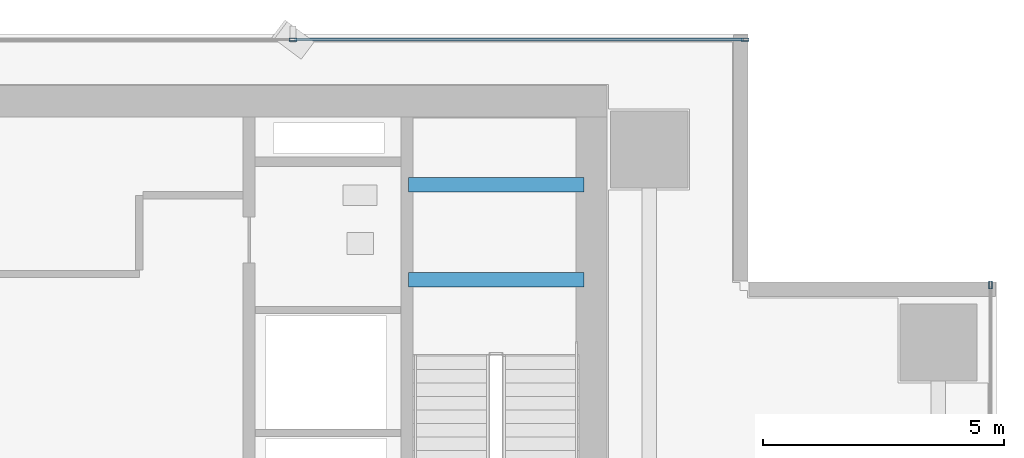
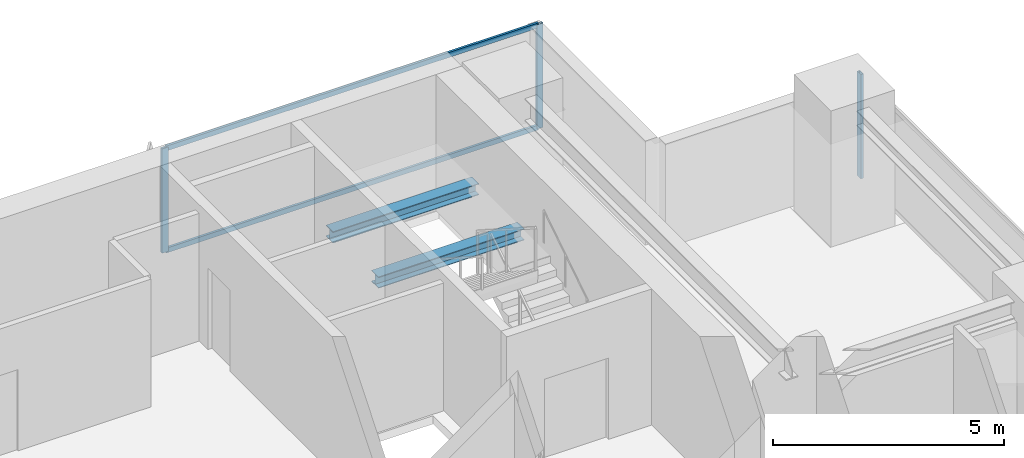
# One storey, part 19 of 28: 5 members, 2 beams, 2 elements without a shape of their own.
"""IFC4 building model written with IfcOpenShell, lengths in metres."""

from ifc_helpers import new_model, si_unit, direction, frame, origin, origin_2d, place, context, subcontext, project, spatial, hollow_rectangle, i_section, extrude, source, transform, mapped, material, layer, layer_set, material_profile, profile_set, type_object, element, aggregate, save


model = new_model("IFC4")

# Units and contexts
model_context = context("Model", 3, precision=1e-05, world=origin(), true_north=direction((0.0, 1.0)))
body_context = subcontext(model_context, "Body", "Model", "MODEL_VIEW")
ifc_project = project(units=[si_unit("LENGTHUNIT", "METRE"), si_unit("AREAUNIT", "SQUARE_METRE"), si_unit("VOLUMEUNIT", "CUBIC_METRE"), si_unit("PLANEANGLEUNIT", "RADIAN"), si_unit("MASSUNIT", "GRAM", prefix="KILO")], contexts=[model_context])

# Site, building, storey
site_placement = place(None, origin())
site = spatial("IfcSite", under=ifc_project, at=site_placement, CompositionType="ELEMENT")
building_placement = place(site_placement, origin())
building = spatial("IfcBuilding", under=site, at=building_placement, Name="Sumidabori Civic Tower", CompositionType="ELEMENT")
storey_placement = place(building_placement, frame((0.0, 0.0, 146.0)))
storey = spatial("IfcBuildingStorey", under=building, at=storey_placement, Name="L37", CompositionType="ELEMENT", Elevation=146.0)

# Beams
ifc_material_1 = material(Name="Steel SN490", Category="steel")
ifc_material_profile_1 = material_profile(ifc_material_1, i_section(OverallWidth=0.300048828125, OverallDepth=0.300048828125, WebThickness=0.010986328125, FlangeThickness=0.01904296875, at=origin_2d()), Name="HE 300 B")
ifc_profile_set_1 = profile_set([ifc_material_profile_1], Name="Steel SN490")
beam_type = type_object("IfcBeamType", Name="BM-LDG-300", PredefinedType="BEAM", material=ifc_profile_set_1)
shared_shape_1 = source(origin(), body_context, "Body", "SweptSolid", [
    extrude(i_section(OverallWidth=0.300048828125, OverallDepth=0.300048828125, WebThickness=0.010986328125, FlangeThickness=0.01904296875, at=origin_2d()), origin(), (0.0, 0.0, 1.0), 3.64990234375),
])
for number, where, z_axis, x_axis, name in (
    (1, (11.800048828125, 20.09765625, 1.449951171875), (1.0, 0.0, 0.0), (0.0, 1.0, 0.0), "Stair ST-2 Landing Support Beam L37-1A"),
    (2, (11.800048828125, 22.069580078125, 1.449951171875), (1.0, 0.0, 0.0), (0.0, 1.0, 0.0), "Stair ST-2 Landing Trimmer Beam L37-1B"),
):
    element("IfcBeam", number, at=place(storey_placement, frame(where, z_axis=z_axis, x_axis=x_axis)), inside=storey, type_object=beam_type, Name=name, PredefinedType="BEAM", context=body_context, shape_type="MappedRepresentation", body=[
        mapped(shared_shape_1, transform((0.0, 0.0, 0.0), x_axis=(1.0, 0.0, 0.0), y_axis=(0.0, 1.0, 0.0), z_axis=(0.0, 0.0, 1.0), scale=1.0)),
    ])

# Curtain wall, member
ifc_material_2 = material(Name="Anodised Bronze Aluminium AW-6063-T6", Category="aluminium")
ifc_layer = layer(ifc_material_2, 0.179931640625, Name="Anodised Bronze Aluminium AW-6063-T6")
ifc_layer_set = layer_set([ifc_layer], Name="Anodised Bronze Aluminium AW-6063-T6")
curtain_wall_type = type_object("IfcCurtainWallType", Name="CW-SYS-3", PredefinedType="NOTDEFINED", material=ifc_layer_set)
curtain_wall_1_placement = place(storey_placement, origin())
curtain_wall_1 = element("IfcCurtainWall", 3, at=curtain_wall_1_placement, inside=storey, type_object=curtain_wall_type, Name="Curtain Wall CW:L37:R04", PredefinedType="NOTDEFINED")
ifc_material_profile_2 = material_profile(ifc_material_2, hollow_rectangle(XDim=0.06494140625, YDim=0.159912109375, WallThickness=0.0048828125, at=origin_2d()), Name="ALU MULLION 160x65")
ifc_profile_set_2 = profile_set([ifc_material_profile_2], Name="Anodised Bronze Aluminium AW-6063-T6")
member_type_1 = type_object("IfcMemberType", Name="CW-MUL-160", PredefinedType="MULLION", material=ifc_profile_set_2)
shared_shape_2 = source(origin(), body_context, "Body", "SweptSolid", [
    extrude(hollow_rectangle(XDim=0.06494140625, YDim=0.159912109375, WallThickness=0.0048828125, at=origin_2d()), origin(), (0.0, 0.0, 1.0), 2.760009765625),
])
member_1_placement = place(storey_placement, frame((23.8798828125, 19.987548828125, 0.0), z_axis=(0.0, 0.0, 1.0), x_axis=(-1.0, 0.0, 0.0)))
member_1 = element("IfcMember", 4, at=member_1_placement, type_object=member_type_1, Name="CW-3 mullion 5", PredefinedType="MULLION", context=body_context, shape_type="MappedRepresentation", body=[
    mapped(shared_shape_2, transform((0.0, 0.0, 0.0), x_axis=(1.0, 0.0, 0.0), y_axis=(0.0, 1.0, 0.0), z_axis=(0.0, 0.0, 1.0), scale=1.0)),
])
aggregate(curtain_wall_1, [member_1])

# Curtain wall, members
curtain_wall_2_placement = place(storey_placement, origin())
curtain_wall_2 = element("IfcCurtainWall", 5, at=curtain_wall_2_placement, inside=storey, type_object=curtain_wall_type, Name="Curtain Wall CW:L37:R07", PredefinedType="NOTDEFINED")
member_2_placement = place(storey_placement, frame((18.78759765625, 25.080078125, 0.0), z_axis=(0.0, 0.0, 1.0), x_axis=(0.0, -1.0, 0.0)))
member_2 = element("IfcMember", 6, at=member_2_placement, type_object=member_type_1, Name="CW-3 mullion 1", PredefinedType="MULLION", context=body_context, shape_type="MappedRepresentation", body=[
    mapped(shared_shape_2, transform((0.0, 0.0, 0.0), x_axis=(1.0, 0.0, 0.0), y_axis=(0.0, 1.0, 0.0), z_axis=(0.0, 0.0, 1.0), scale=1.0)),
])
member_3_placement = place(storey_placement, frame((9.409912109375, 25.080078125, 0.0), z_axis=(0.0, 0.0, 1.0), x_axis=(0.0, -1.0, 0.0)))
member_3 = element("IfcMember", 7, at=member_3_placement, type_object=member_type_1, Name="CW-3 mullion 2", PredefinedType="MULLION", context=body_context, shape_type="MappedRepresentation", body=[
    mapped(shared_shape_2, transform((0.0, 0.0, 0.0), x_axis=(1.0, 0.0, 0.0), y_axis=(0.0, 1.0, 0.0), z_axis=(0.0, 0.0, 1.0), scale=1.0)),
])
ifc_material_profile_3 = material_profile(ifc_material_2, hollow_rectangle(XDim=0.06005859375, YDim=0.1298828125, WallThickness=0.0048828125, at=origin_2d()), Name="ALU TRANSOM 130x60")
ifc_profile_set_3 = profile_set([ifc_material_profile_3], Name="Anodised Bronze Aluminium AW-6063-T6")
member_type_2 = type_object("IfcMemberType", Name="CW-TRN-130", PredefinedType="USERDEFINED", material=ifc_profile_set_3)
shared_shape_3 = source(origin(), body_context, "Body", "SweptSolid", [
    extrude(hollow_rectangle(XDim=0.06005859375, YDim=0.1298828125, WallThickness=0.0048828125, at=origin_2d()), origin(), (0.0, 0.0, 1.0), 9.3125),
])
member_4_placement = place(storey_placement, frame((18.7548828125, 25.080078125, 0.030029296875), z_axis=(-1.0, 0.0, 0.0), x_axis=(0.0, -1.0, 0.0)))
member_4 = element("IfcMember", 8, at=member_4_placement, type_object=member_type_2, Name="CW-3 transom 1.1", ObjectType="TRANSOM", PredefinedType="USERDEFINED", context=body_context, shape_type="MappedRepresentation", body=[
    mapped(shared_shape_3, transform((0.0, 0.0, 0.0), x_axis=(1.0, 0.0, 0.0), y_axis=(0.0, 1.0, 0.0), z_axis=(0.0, 0.0, 1.0), scale=1.0)),
])
member_5_placement = place(storey_placement, frame((18.7548828125, 25.080078125, 2.72998046875), z_axis=(-1.0, 0.0, 0.0), x_axis=(0.0, -1.0, 0.0)))
member_5 = element("IfcMember", 9, at=member_5_placement, type_object=member_type_2, Name="CW-3 transom 1.2", ObjectType="TRANSOM", PredefinedType="USERDEFINED", context=body_context, shape_type="MappedRepresentation", body=[
    mapped(shared_shape_3, transform((0.0, 0.0, 0.0), x_axis=(1.0, 0.0, 0.0), y_axis=(0.0, 1.0, 0.0), z_axis=(0.0, 0.0, 1.0), scale=1.0)),
])
aggregate(curtain_wall_2, [member_2, member_3, member_4, member_5])

save(model, "model.ifc")
